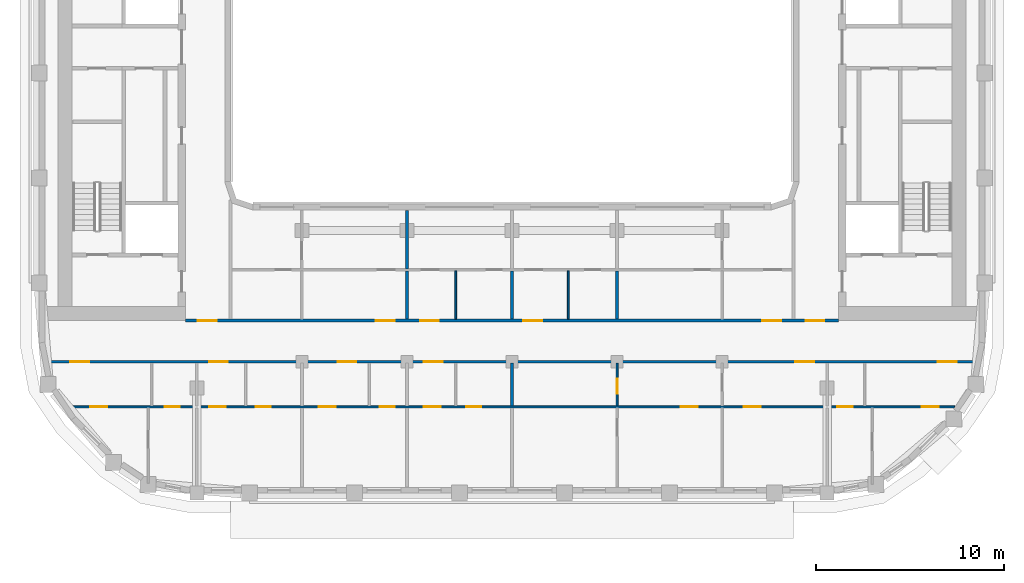
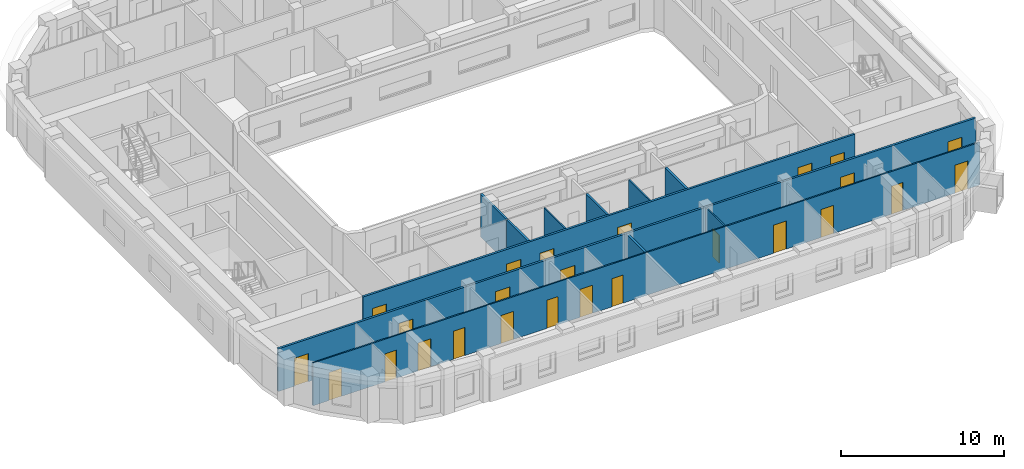
# One storey, part 3 of 21: 25 doors, 11 walls, 25 openings.
"""IFC4 building model written with IfcOpenShell, lengths in metres."""

import ifcopenshell
import ifcopenshell.guid

model = None  # the IFC model being written
_history = None  # IfcOwnerHistory: only IFC2X3 demands one
_inside = {}  # id of a spatial element -> (the spatial element, [elements in it])
_under = {}  # id of a project, library or spatial element -> (it, [spatial elements below it])
_declared = {}  # id of a project -> (the project, [libraries it declares])
_typed = {}  # id of a type object -> (the type object, [elements of that type])
_made_of = {}  # id of a material, layer set ... -> (it, [elements and type objects made of it])


def new_model(schema):
    """Start an empty IFC model of exactly this schema.

    Asked for "IFC4X3", IfcOpenShell would pick the latest addendum, in which some entities
    have other attributes; the version numbers below select the first issue.
    IFC2X3 requires an IfcOwnerHistory on every rooted entity: one is made here for all.
    """
    global model, _history
    if schema == "IFC4X3":
        model = ifcopenshell.file(schema_version=(4, 3, 0, 0))
    else:
        model = ifcopenshell.file(schema=schema)
    _inside.clear()
    _under.clear()
    _declared.clear()
    _typed.clear()
    _made_of.clear()
    _history = None
    if model.schema == "IFC2X3":
        org = make("IfcOrganization", Name="unknown")
        user = make(
            "IfcPersonAndOrganization",
            ThePerson=make("IfcPerson", FamilyName="unknown"),
            TheOrganization=org,
        )
        app = make(
            "IfcApplication",
            ApplicationDeveloper=org,
            Version="unknown",
            ApplicationFullName="unknown",
            ApplicationIdentifier="unknown",
        )
        _history = make(
            "IfcOwnerHistory",
            OwningUser=user,
            OwningApplication=app,
            ChangeAction="ADDED",
            CreationDate=0,
        )
    return model


def make(cls, **values):
    """One entity of the class cls with the attributes given. An attribute that is None is left unset."""
    return model.create_entity(
        cls, **{name: value for name, value in values.items() if value is not None}
    )


def rooted(cls, **values):
    """An entity with a GlobalId (a new one), such as an element, a storey or a relation."""
    return make(cls, GlobalId=ifcopenshell.guid.new(), OwnerHistory=_history, **values)


def si_unit(unit_type, name, prefix=None):
    """IfcSIUnit, for example si_unit("LENGTHUNIT", "METRE", prefix="MILLI")."""
    return make("IfcSIUnit", UnitType=unit_type, Prefix=prefix, Name=name)


def assignment(units):
    """IfcUnitAssignment: the units of a project."""
    return None if units is None else make("IfcUnitAssignment", Units=units)


def point(xyz):
    """IfcCartesianPoint."""
    return None if xyz is None else make("IfcCartesianPoint", Coordinates=xyz)


def direction(xyz):
    """IfcDirection."""
    return None if xyz is None else make("IfcDirection", DirectionRatios=xyz)


def frame(location, z_axis=None, x_axis=None):
    """IfcAxis2Placement3D, a coordinate frame: its origin and axes. An axis left out is left unset."""
    return make(
        "IfcAxis2Placement3D",
        Location=point(location),
        Axis=direction(z_axis),
        RefDirection=direction(x_axis),
    )


def frame_2d(location, x_axis=None):
    """IfcAxis2Placement2D, a coordinate frame in the plane: its origin and x axis."""
    return make(
        "IfcAxis2Placement2D", Location=point(location), RefDirection=direction(x_axis)
    )


def origin():
    """The frame at (0, 0, 0) with its axes left unset."""
    return frame((0.0, 0.0, 0.0))


def place(relative_to, where):
    """IfcLocalPlacement: puts the frame where relative to a parent placement (None: the world)."""
    return make(
        "IfcLocalPlacement", PlacementRelTo=relative_to, RelativePlacement=where
    )


def context(
    kind, dimensions, precision=None, world=None, true_north=None, identifier=None
):
    """IfcGeometricRepresentationContext, for example the 3D "Model" context."""
    return make(
        "IfcGeometricRepresentationContext",
        ContextIdentifier=identifier,
        ContextType=kind,
        CoordinateSpaceDimension=dimensions,
        Precision=precision,
        WorldCoordinateSystem=world,
        TrueNorth=true_north,
    )


def subcontext(parent, identifier, kind, view, scale=None):
    """IfcGeometricRepresentationSubContext, for example "Body" below "Model"."""
    return make(
        "IfcGeometricRepresentationSubContext",
        ContextIdentifier=identifier,
        ContextType=kind,
        ParentContext=parent,
        TargetScale=scale,
        TargetView=view,
    )


def project(units=None, contexts=None):
    """IfcProject with its units and contexts."""
    return rooted(
        "IfcProject",
        Name="project",
        RepresentationContexts=contexts,
        UnitsInContext=assignment(units),
    )


def spatial(cls, under=None, at=None, **own):
    """A site, building, storey or space (cls), placed at a placement, below another one or the project."""
    s = rooted(cls, ObjectPlacement=at, **own)
    if under is not None:
        _under.setdefault(under.id(), (under, []))[1].append(s)
    return s


def profile(cls, at=None, kind="AREA", **sizes):
    """A parametric profile (cls). Its sizes go by their IFC names, for example OverallWidth=200.0."""
    return make(cls, ProfileType=kind, Position=at, **sizes)


def rectangle(**sizes):
    """IfcRectangleProfileDef."""
    return profile("IfcRectangleProfileDef", **sizes)


def extrude(swept, where, along, depth):
    """IfcExtrudedAreaSolid: the profile swept, set in the frame where, extruded along a direction by depth."""
    return make(
        "IfcExtrudedAreaSolid",
        SweptArea=swept,
        Position=where,
        ExtrudedDirection=direction(along),
        Depth=depth,
    )


def shape(context_of_items, identifier, shape_type, items):
    """IfcShapeRepresentation: the items that make up one representation, for example the "Body"."""
    return make(
        "IfcShapeRepresentation",
        ContextOfItems=context_of_items,
        RepresentationIdentifier=identifier,
        RepresentationType=shape_type,
        Items=items,
    )


def material(Name=None, Category=None):
    """IfcMaterial."""
    return make("IfcMaterial", Name=Name, Category=Category)


def layer(
    of_material, thickness, ventilated=None, Name=None, Category=None, Priority=None
):
    """IfcMaterialLayer: one layer of a wall or slab, of a material (None: an air gap)."""
    return make(
        "IfcMaterialLayer",
        Material=of_material,
        LayerThickness=thickness,
        IsVentilated=ventilated,
        Name=Name,
        Category=Category,
        Priority=Priority,
    )


def layer_set(layers, Name=None):
    """IfcMaterialLayerSet."""
    return make("IfcMaterialLayerSet", MaterialLayers=layers, LayerSetName=Name)


def made_of(thing, what):
    """Note that an element or type object is made of a material, layer set ...; save() writes the relation."""
    if what is not None:
        _made_of.setdefault(what.id(), (what, []))[1].append(thing)
    return thing


def type_object(cls, material=None, **own):
    """A type object (cls), such as IfcWallType, which elements share."""
    return made_of(rooted(cls, **own), material)


def element(
    cls,
    number,
    at=None,
    inside=None,
    cuts=None,
    type_object=None,
    material=None,
    context=None,
    identifier="Body",
    shape_type=None,
    held_by="IfcProductDefinitionShape",
    body=None,
    shapes=None,
    **own,
):
    """One element of the class cls, such as IfcWall. Its Tag is "e" and its number.

    at: its placement. inside: the storey or other place that contains it. cuts: it is an
    opening in that element (IfcRelVoidsElement). A single representation is given by context,
    identifier, shape_type and body (its items); several are given by shapes. held_by: the class
    of the entity that holds the representations. save() writes the other relations.
    """
    e = rooted(cls, Tag="e%d" % number, ObjectPlacement=at, **own)
    if body is not None:
        shapes = [shape(context, identifier, shape_type, body)]
    if shapes is not None:
        e.Representation = make(held_by, Representations=shapes)
    if inside is not None:
        _inside.setdefault(inside.id(), (inside, []))[1].append(e)
    if cuts is not None:
        rooted(
            "IfcRelVoidsElement", RelatingBuildingElement=cuts, RelatedOpeningElement=e
        )
    if type_object is not None:
        _typed.setdefault(type_object.id(), (type_object, []))[1].append(e)
    return made_of(e, material)


def fill(opening, filler):
    """IfcRelFillsElement: the door or window that sits in an opening."""
    return rooted(
        "IfcRelFillsElement",
        RelatingOpeningElement=opening,
        RelatedBuildingElement=filler,
    )


def aggregate(whole, parts):
    """IfcRelAggregates: a whole, such as a stair, and the parts it consists of."""
    return rooted("IfcRelAggregates", RelatingObject=whole, RelatedObjects=parts)


def save(model, path):
    """Write the relations noted so far, then the file.

    IfcRelAggregates (storeys below a building ...), IfcRelContainedInSpatialStructure (elements
    in a storey), IfcRelDefinesByType, IfcRelAssociatesMaterial and IfcRelDeclares: one each for
    every whole, place, type object, material and project.
    """
    for whole, parts in _under.values():
        aggregate(whole, parts)
    for where, things in _inside.values():
        rooted(
            "IfcRelContainedInSpatialStructure",
            RelatedElements=things,
            RelatingStructure=where,
        )
    for kind, things in _typed.values():
        rooted("IfcRelDefinesByType", RelatedObjects=things, RelatingType=kind)
    for what, things in _made_of.values():
        rooted("IfcRelAssociatesMaterial", RelatedObjects=things, RelatingMaterial=what)
    for by, libraries in _declared.values():
        rooted("IfcRelDeclares", RelatingContext=by, RelatedDefinitions=libraries)
    model.write(path)


model = new_model("IFC4")

# Units and contexts
model_context = context("Model", 3, precision=1e-05, world=origin(), true_north=direction((0.0, 1.0)))
body_context = subcontext(model_context, "Body", "Model", "MODEL_VIEW")
ifc_project = project(units=[si_unit("LENGTHUNIT", "METRE"), si_unit("AREAUNIT", "SQUARE_METRE"), si_unit("VOLUMEUNIT", "CUBIC_METRE"), si_unit("PLANEANGLEUNIT", "RADIAN"), si_unit("MASSUNIT", "GRAM", prefix="KILO")], contexts=[model_context])

# Site, building, storey
site_placement = place(None, origin())
site = spatial("IfcSite", under=ifc_project, at=site_placement, CompositionType="ELEMENT")
building_placement = place(site_placement, origin())
building = spatial("IfcBuilding", under=site, at=building_placement, Name="Kiln Ring Residences", CompositionType="ELEMENT")
storey_placement = place(building_placement, frame((0.0, 0.0, 223.89990234375)))
storey = spatial("IfcBuildingStorey", under=building, at=storey_placement, Name="L58", CompositionType="ELEMENT", Elevation=223.89990234375)

# Wall, openings, doors
ifc_material_1 = material(Name="Gypsum board on steel studs", Category="steel")
ifc_layer_1 = layer(ifc_material_1, 0.10009765625)
ifc_layer_set_1 = layer_set([ifc_layer_1], Name="PARTITION-100")
wall_type_1 = type_object("IfcWallType", Name="PARTITION-100", PredefinedType="PARTITIONING", material=ifc_layer_set_1)
wall_1_placement = place(storey_placement, frame((-23.593994140625, -17.800048828125, 0.0), z_axis=(0.0, 0.0, 1.0), x_axis=(1.0, 0.0, 0.0)))
wall_1 = element("IfcWall", 1, at=wall_1_placement, inside=storey, type_object=wall_type_1, Name="Partition 000", PredefinedType="PARTITIONING", context=body_context, shape_type="SweptSolid", body=[
    extrude(rectangle(XDim=47.18798828125, YDim=0.10009765625, at=frame_2d((23.593994140625, 0.0))), origin(), (0.0, 0.0, 1.0), 3.2001953125),
])
opening_1_placement = place(wall_1_placement, frame((5.093994140625, 0.0, 0.0)))
opening_1 = element("IfcOpeningElement", 2, at=opening_1_placement, cuts=wall_1, Name="Opening L58-D046", PredefinedType="OPENING", context=body_context, shape_type="SweptSolid", body=[
    extrude(rectangle(XDim=0.800048828125, YDim=2.10009765625, at=frame_2d((0.39990234375, 1.050048828125))), frame((0.0, 0.06005859375, 0.0), z_axis=(0.0, -1.0, 0.0), x_axis=(1.0, 0.0, 0.0)), (0.0, 0.0, 1.0), 0.1201171875),
])
opening_2_placement = place(wall_1_placement, frame((1.1259765625, 0.0, 0.0)))
opening_2 = element("IfcOpeningElement", 3, at=opening_2_placement, cuts=wall_1, Name="Opening L58-D047", PredefinedType="OPENING", context=body_context, shape_type="SweptSolid", body=[
    extrude(rectangle(XDim=0.89990234375, YDim=2.10009765625, at=frame_2d((0.449951171875, 1.050048828125))), frame((0.0, 0.06005859375, 0.0), z_axis=(0.0, -1.0, 0.0), x_axis=(1.0, 0.0, 0.0)), (0.0, 0.0, 1.0), 0.1201171875),
])
opening_3_placement = place(wall_1_placement, frame((9.944091796875, 0.0, 0.0)))
opening_3 = element("IfcOpeningElement", 4, at=opening_3_placement, cuts=wall_1, Name="Opening L58-D050", PredefinedType="OPENING", context=body_context, shape_type="SweptSolid", body=[
    extrude(rectangle(XDim=0.800048828125, YDim=2.10009765625, at=frame_2d((0.39990234375, 1.050048828125))), frame((0.0, 0.06005859375, 0.0), z_axis=(0.0, -1.0, 0.0), x_axis=(1.0, 0.0, 0.0)), (0.0, 0.0, 1.0), 0.1201171875),
])
opening_4_placement = place(wall_1_placement, frame((7.444091796875, 0.0, 0.0)))
opening_4 = element("IfcOpeningElement", 5, at=opening_4_placement, cuts=wall_1, Name="Opening L58-D051", PredefinedType="OPENING", context=body_context, shape_type="SweptSolid", body=[
    extrude(rectangle(XDim=0.89990234375, YDim=2.10009765625, at=frame_2d((0.449951171875, 1.050048828125))), frame((0.0, 0.06005859375, 0.0), z_axis=(0.0, -1.0, 0.0), x_axis=(1.0, 0.0, 0.0)), (0.0, 0.0, 1.0), 0.1201171875),
])
opening_5_placement = place(wall_1_placement, frame((16.5439453125, 0.0, 0.0)))
opening_5 = element("IfcOpeningElement", 6, at=opening_5_placement, cuts=wall_1, Name="Opening L58-D053", PredefinedType="OPENING", context=body_context, shape_type="SweptSolid", body=[
    extrude(rectangle(XDim=0.800048828125, YDim=2.10009765625, at=frame_2d((0.39990234375, 1.050048828125))), frame((0.0, 0.06005859375, 0.0), z_axis=(0.0, -1.0, 0.0), x_axis=(1.0, 0.0, 0.0)), (0.0, 0.0, 1.0), 0.1201171875),
])
opening_6_placement = place(wall_1_placement, frame((13.2939453125, 0.0, 0.0)))
opening_6 = element("IfcOpeningElement", 7, at=opening_6_placement, cuts=wall_1, Name="Opening L58-D054", PredefinedType="OPENING", context=body_context, shape_type="SweptSolid", body=[
    extrude(rectangle(XDim=0.89990234375, YDim=2.10009765625, at=frame_2d((0.449951171875, 1.050048828125))), frame((0.0, 0.06005859375, 0.0), z_axis=(0.0, -1.0, 0.0), x_axis=(1.0, 0.0, 0.0)), (0.0, 0.0, 1.0), 0.1201171875),
])
opening_7_placement = place(wall_1_placement, frame((21.14404296875, 0.0, 0.0)))
opening_7 = element("IfcOpeningElement", 8, at=opening_7_placement, cuts=wall_1, Name="Opening L58-D056", PredefinedType="OPENING", context=body_context, shape_type="SweptSolid", body=[
    extrude(rectangle(XDim=0.800048828125, YDim=2.10009765625, at=frame_2d((0.39990234375, 1.050048828125))), frame((0.0, 0.06005859375, 0.0), z_axis=(0.0, -1.0, 0.0), x_axis=(1.0, 0.0, 0.0)), (0.0, 0.0, 1.0), 0.1201171875),
])
opening_8_placement = place(wall_1_placement, frame((18.89404296875, 0.0, 0.0)))
opening_8 = element("IfcOpeningElement", 9, at=opening_8_placement, cuts=wall_1, Name="Opening L58-D057", PredefinedType="OPENING", context=body_context, shape_type="SweptSolid", body=[
    extrude(rectangle(XDim=0.89990234375, YDim=2.10009765625, at=frame_2d((0.449951171875, 1.050048828125))), frame((0.0, 0.06005859375, 0.0), z_axis=(0.0, -1.0, 0.0), x_axis=(1.0, 0.0, 0.0)), (0.0, 0.0, 1.0), 0.1201171875),
])
opening_9_placement = place(wall_1_placement, frame((35.944091796875, 0.0, 0.0)))
opening_9 = element("IfcOpeningElement", 10, at=opening_9_placement, cuts=wall_1, Name="Opening L58-D061", PredefinedType="OPENING", context=body_context, shape_type="SweptSolid", body=[
    extrude(rectangle(XDim=0.89990234375, YDim=2.10009765625, at=frame_2d((0.449951171875, 1.050048828125))), frame((0.0, 0.06005859375, 0.0), z_axis=(0.0, -1.0, 0.0), x_axis=(1.0, 0.0, 0.0)), (0.0, 0.0, 1.0), 0.1201171875),
])
opening_10_placement = place(wall_1_placement, frame((32.593994140625, 0.0, 0.0)))
opening_10 = element("IfcOpeningElement", 11, at=opening_10_placement, cuts=wall_1, Name="Opening L58-D062", PredefinedType="OPENING", context=body_context, shape_type="SweptSolid", body=[
    extrude(rectangle(XDim=0.89990234375, YDim=2.10009765625, at=frame_2d((0.449951171875, 1.050048828125))), frame((0.0, 0.06005859375, 0.0), z_axis=(0.0, -1.0, 0.0), x_axis=(1.0, 0.0, 0.0)), (0.0, 0.0, 1.0), 0.1201171875),
])
opening_11_placement = place(wall_1_placement, frame((40.944091796875, 0.0, 0.0)))
opening_11 = element("IfcOpeningElement", 12, at=opening_11_placement, cuts=wall_1, Name="Opening L58-D065", PredefinedType="OPENING", context=body_context, shape_type="SweptSolid", body=[
    extrude(rectangle(XDim=0.800048828125, YDim=2.10009765625, at=frame_2d((0.39990234375, 1.050048828125))), frame((0.0, 0.06005859375, 0.0), z_axis=(0.0, -1.0, 0.0), x_axis=(1.0, 0.0, 0.0)), (0.0, 0.0, 1.0), 0.1201171875),
])
opening_12_placement = place(wall_1_placement, frame((45.444091796875, 0.0, 0.0)))
opening_12 = element("IfcOpeningElement", 13, at=opening_12_placement, cuts=wall_1, Name="Opening L58-D066", PredefinedType="OPENING", context=body_context, shape_type="SweptSolid", body=[
    extrude(rectangle(XDim=0.89990234375, YDim=2.10009765625, at=frame_2d((0.449951171875, 1.050048828125))), frame((0.0, 0.06005859375, 0.0), z_axis=(0.0, -1.0, 0.0), x_axis=(1.0, 0.0, 0.0)), (0.0, 0.0, 1.0), 0.1201171875),
])
ifc_material_2 = material(Name="Timber door leaf", Category="wood")
door_type_1 = type_object("IfcDoorType", Name="FLAT-DOOR-800-PL", OperationType="SINGLE_SWING_LEFT", PredefinedType="DOOR", material=ifc_material_2)
door_1_placement = place(opening_1_placement, origin())
door_1 = element("IfcDoor", 14, at=door_1_placement, inside=storey, type_object=door_type_1, Name="Door L58-D046", OperationType="SINGLE_SWING_RIGHT", OverallHeight=2.10009765625, OverallWidth=0.800048828125, PredefinedType="DOOR", context=body_context, shape_type="SweptSolid", body=[
    extrude(rectangle(XDim=0.800048828125, YDim=2.10009765625, at=frame_2d((0.39990234375, 1.050048828125))), frame((0.0, 0.02490234375, 0.0), z_axis=(0.0, -1.0, 0.0), x_axis=(1.0, 0.0, 0.0)), (0.0, 0.0, 1.0), 0.050048828125),
])
fill(opening_1, door_1)
door_2_placement = place(opening_3_placement, origin())
door_2 = element("IfcDoor", 15, at=door_2_placement, inside=storey, type_object=door_type_1, Name="Door L58-D050", OperationType="SINGLE_SWING_RIGHT", OverallHeight=2.10009765625, OverallWidth=0.800048828125, PredefinedType="DOOR", context=body_context, shape_type="SweptSolid", body=[
    extrude(rectangle(XDim=0.800048828125, YDim=2.10009765625, at=frame_2d((0.39990234375, 1.050048828125))), frame((0.0, 0.02490234375, 0.0), z_axis=(0.0, -1.0, 0.0), x_axis=(1.0, 0.0, 0.0)), (0.0, 0.0, 1.0), 0.050048828125),
])
fill(opening_3, door_2)
door_3_placement = place(opening_5_placement, origin())
door_3 = element("IfcDoor", 16, at=door_3_placement, inside=storey, type_object=door_type_1, Name="Door L58-D053", OperationType="SINGLE_SWING_LEFT", OverallHeight=2.10009765625, OverallWidth=0.800048828125, PredefinedType="DOOR", context=body_context, shape_type="SweptSolid", body=[
    extrude(rectangle(XDim=0.800048828125, YDim=2.10009765625, at=frame_2d((0.39990234375, 1.050048828125))), frame((0.0, 0.02490234375, 0.0), z_axis=(0.0, -1.0, 0.0), x_axis=(1.0, 0.0, 0.0)), (0.0, 0.0, 1.0), 0.050048828125),
])
fill(opening_5, door_3)
door_4_placement = place(opening_7_placement, origin())
door_4 = element("IfcDoor", 17, at=door_4_placement, inside=storey, type_object=door_type_1, Name="Door L58-D056", OperationType="SINGLE_SWING_RIGHT", OverallHeight=2.10009765625, OverallWidth=0.800048828125, PredefinedType="DOOR", context=body_context, shape_type="SweptSolid", body=[
    extrude(rectangle(XDim=0.800048828125, YDim=2.10009765625, at=frame_2d((0.39990234375, 1.050048828125))), frame((0.0, 0.02490234375, 0.0), z_axis=(0.0, -1.0, 0.0), x_axis=(1.0, 0.0, 0.0)), (0.0, 0.0, 1.0), 0.050048828125),
])
fill(opening_7, door_4)
door_5_placement = place(opening_11_placement, origin())
door_5 = element("IfcDoor", 18, at=door_5_placement, inside=storey, type_object=door_type_1, Name="Door L58-D065", OperationType="SINGLE_SWING_LEFT", OverallHeight=2.10009765625, OverallWidth=0.800048828125, PredefinedType="DOOR", context=body_context, shape_type="SweptSolid", body=[
    extrude(rectangle(XDim=0.800048828125, YDim=2.10009765625, at=frame_2d((0.39990234375, 1.050048828125))), frame((0.0, 0.02490234375, 0.0), z_axis=(0.0, -1.0, 0.0), x_axis=(1.0, 0.0, 0.0)), (0.0, 0.0, 1.0), 0.050048828125),
])
fill(opening_11, door_5)
ifc_material_3 = material(Name="Timber door leaf", Category="wood")
door_type_2 = type_object("IfcDoorType", Name="FLAT-DOOR-900-PL", OperationType="SINGLE_SWING_LEFT", PredefinedType="DOOR", material=ifc_material_3)
door_6_placement = place(opening_2_placement, origin())
door_6 = element("IfcDoor", 19, at=door_6_placement, inside=storey, type_object=door_type_2, Name="Door L58-D047", OperationType="SINGLE_SWING_LEFT", OverallHeight=2.10009765625, OverallWidth=0.89990234375, PredefinedType="DOOR", context=body_context, shape_type="SweptSolid", body=[
    extrude(rectangle(XDim=0.89990234375, YDim=2.10009765625, at=frame_2d((0.449951171875, 1.050048828125))), frame((0.0, 0.02490234375, 0.0), z_axis=(0.0, -1.0, 0.0), x_axis=(1.0, 0.0, 0.0)), (0.0, 0.0, 1.0), 0.050048828125),
])
fill(opening_2, door_6)
door_7_placement = place(opening_4_placement, origin())
door_7 = element("IfcDoor", 20, at=door_7_placement, inside=storey, type_object=door_type_2, Name="Door L58-D051", OperationType="SINGLE_SWING_LEFT", OverallHeight=2.10009765625, OverallWidth=0.89990234375, PredefinedType="DOOR", context=body_context, shape_type="SweptSolid", body=[
    extrude(rectangle(XDim=0.89990234375, YDim=2.10009765625, at=frame_2d((0.449951171875, 1.050048828125))), frame((0.0, 0.02490234375, 0.0), z_axis=(0.0, -1.0, 0.0), x_axis=(1.0, 0.0, 0.0)), (0.0, 0.0, 1.0), 0.050048828125),
])
fill(opening_4, door_7)
door_8_placement = place(opening_6_placement, origin())
door_8 = element("IfcDoor", 21, at=door_8_placement, inside=storey, type_object=door_type_2, Name="Door L58-D054", OperationType="SINGLE_SWING_LEFT", OverallHeight=2.10009765625, OverallWidth=0.89990234375, PredefinedType="DOOR", context=body_context, shape_type="SweptSolid", body=[
    extrude(rectangle(XDim=0.89990234375, YDim=2.10009765625, at=frame_2d((0.449951171875, 1.050048828125))), frame((0.0, 0.02490234375, 0.0), z_axis=(0.0, -1.0, 0.0), x_axis=(1.0, 0.0, 0.0)), (0.0, 0.0, 1.0), 0.050048828125),
])
fill(opening_6, door_8)
door_9_placement = place(opening_8_placement, origin())
door_9 = element("IfcDoor", 22, at=door_9_placement, inside=storey, type_object=door_type_2, Name="Door L58-D057", OperationType="SINGLE_SWING_LEFT", OverallHeight=2.10009765625, OverallWidth=0.89990234375, PredefinedType="DOOR", context=body_context, shape_type="SweptSolid", body=[
    extrude(rectangle(XDim=0.89990234375, YDim=2.10009765625, at=frame_2d((0.449951171875, 1.050048828125))), frame((0.0, 0.02490234375, 0.0), z_axis=(0.0, -1.0, 0.0), x_axis=(1.0, 0.0, 0.0)), (0.0, 0.0, 1.0), 0.050048828125),
])
fill(opening_8, door_9)
door_10_placement = place(opening_9_placement, origin())
door_10 = element("IfcDoor", 23, at=door_10_placement, inside=storey, type_object=door_type_2, Name="Door L58-D061", OperationType="SINGLE_SWING_LEFT", OverallHeight=2.10009765625, OverallWidth=0.89990234375, PredefinedType="DOOR", context=body_context, shape_type="SweptSolid", body=[
    extrude(rectangle(XDim=0.89990234375, YDim=2.10009765625, at=frame_2d((0.449951171875, 1.050048828125))), frame((0.0, 0.02490234375, 0.0), z_axis=(0.0, -1.0, 0.0), x_axis=(1.0, 0.0, 0.0)), (0.0, 0.0, 1.0), 0.050048828125),
])
fill(opening_9, door_10)
door_11_placement = place(opening_10_placement, origin())
door_11 = element("IfcDoor", 24, at=door_11_placement, inside=storey, type_object=door_type_2, Name="Door L58-D062", OperationType="SINGLE_SWING_RIGHT", OverallHeight=2.10009765625, OverallWidth=0.89990234375, PredefinedType="DOOR", context=body_context, shape_type="SweptSolid", body=[
    extrude(rectangle(XDim=0.89990234375, YDim=2.10009765625, at=frame_2d((0.449951171875, 1.050048828125))), frame((0.0, 0.02490234375, 0.0), z_axis=(0.0, -1.0, 0.0), x_axis=(1.0, 0.0, 0.0)), (0.0, 0.0, 1.0), 0.050048828125),
])
fill(opening_10, door_11)
door_12_placement = place(opening_12_placement, origin())
door_12 = element("IfcDoor", 25, at=door_12_placement, inside=storey, type_object=door_type_2, Name="Door L58-D066", OperationType="SINGLE_SWING_RIGHT", OverallHeight=2.10009765625, OverallWidth=0.89990234375, PredefinedType="DOOR", context=body_context, shape_type="SweptSolid", body=[
    extrude(rectangle(XDim=0.89990234375, YDim=2.10009765625, at=frame_2d((0.449951171875, 1.050048828125))), frame((0.0, 0.02490234375, 0.0), z_axis=(0.0, -1.0, 0.0), x_axis=(1.0, 0.0, 0.0)), (0.0, 0.0, 1.0), 0.050048828125),
])
fill(opening_12, door_12)

# Walls
for number, where, z_axis, x_axis, name in (
    (26, (-3.0, -13.125, 0.0), (0.0, 0.0, 1.0), (0.0, 1.0, 0.0), "Partition 033"),
    (27, (3.0, -13.125, 0.0), (0.0, 0.0, 1.0), (0.0, 1.0, 0.0), "Partition 042"),
):
    element("IfcWall", number, at=place(storey_placement, frame(where, z_axis=z_axis, x_axis=x_axis)), inside=storey, type_object=wall_type_1, Name=name, PredefinedType="PARTITIONING", context=body_context, shape_type="SweptSolid", body=[
        extrude(rectangle(XDim=2.574951171875, YDim=0.10009765625, at=frame_2d((1.28759765625, 0.0))), origin(), (0.0, 0.0, 1.0), 3.2001953125),
    ])

# Wall, opening, door
wall_2_placement = place(storey_placement, frame((5.60009765625, -17.75, 0.0), z_axis=(0.0, 0.0, 1.0), x_axis=(0.0, 1.0, 0.0)))
wall_2 = element("IfcWall", 28, at=wall_2_placement, inside=storey, type_object=wall_type_1, Name="Partition 045", PredefinedType="PARTITIONING", context=body_context, shape_type="SweptSolid", body=[
    extrude(rectangle(XDim=2.27490234375, YDim=0.10009765625, at=frame_2d((1.137451171875, 0.0))), origin(), (0.0, 0.0, 1.0), 3.2001953125),
])
opening_13_placement = place(wall_2_placement, frame((0.64892578125, 0.0, 0.0)))
opening_13 = element("IfcOpeningElement", 29, at=opening_13_placement, cuts=wall_2, Name="Opening L58-D060", PredefinedType="OPENING", context=body_context, shape_type="SweptSolid", body=[
    extrude(rectangle(XDim=0.800048828125, YDim=2.10009765625, at=frame_2d((0.39990234375, 1.050048828125))), frame((0.0, 0.06005859375, 0.0), z_axis=(0.0, -1.0, 0.0), x_axis=(1.0, 0.0, 0.0)), (0.0, 0.0, 1.0), 0.1201171875),
])
door_13_placement = place(opening_13_placement, origin())
door_13 = element("IfcDoor", 30, at=door_13_placement, inside=storey, type_object=door_type_1, Name="Door L58-D060", OperationType="SINGLE_SWING_RIGHT", OverallHeight=2.10009765625, OverallWidth=0.800048828125, PredefinedType="DOOR", context=body_context, shape_type="SweptSolid", body=[
    extrude(rectangle(XDim=0.800048828125, YDim=2.10009765625, at=frame_2d((0.39990234375, 1.050048828125))), frame((0.0, 0.02490234375, 0.0), z_axis=(0.0, -1.0, 0.0), x_axis=(1.0, 0.0, 0.0)), (0.0, 0.0, 1.0), 0.050048828125),
])
fill(opening_13, door_13)

# Wall, openings, doors
ifc_material_4 = material(Name="Brick masonry partition", Category="masonry")
ifc_layer_2 = layer(ifc_material_4, 0.14990234375)
ifc_layer_set_2 = layer_set([ifc_layer_2], Name="PARTITION-150-ei60")
wall_type_2 = type_object("IfcWallType", Name="PARTITION-150-ei60", PredefinedType="PARTITIONING", material=ifc_layer_set_2)
wall_3_placement = place(storey_placement, frame((-24.683837890625, -15.39990234375, 0.0), z_axis=(0.0, 0.0, 1.0), x_axis=(1.0, 0.0, 0.0)))
wall_3 = element("IfcWall", 31, at=wall_3_placement, inside=storey, type_object=wall_type_2, Name="Partition 001", PredefinedType="PARTITIONING", context=body_context, shape_type="SweptSolid", body=[
    extrude(rectangle(XDim=49.36767578125, YDim=0.14990234375, at=frame_2d((24.683837890625, 0.0))), origin(), (0.0, 0.0, 1.0), 3.2001953125),
])
opening_14_placement = place(wall_3_placement, frame((1.142822265625, 0.0, 0.0)))
opening_14 = element("IfcOpeningElement", 32, at=opening_14_placement, cuts=wall_3, Name="Opening L58-D045", PredefinedType="OPENING", context=body_context, shape_type="SweptSolid", body=[
    extrude(rectangle(XDim=1.0, YDim=2.10009765625, at=frame_2d((0.5, 1.050048828125))), frame((0.0, 0.0849609375, 0.0), z_axis=(0.0, -1.0, 0.0), x_axis=(1.0, 0.0, 0.0)), (0.0, 0.0, 1.0), 0.169921875),
])
opening_15_placement = place(wall_3_placement, frame((8.53369140625, 0.0, 0.0)))
opening_15 = element("IfcOpeningElement", 33, at=opening_15_placement, cuts=wall_3, Name="Opening L58-D049", PredefinedType="OPENING", context=body_context, shape_type="SweptSolid", body=[
    extrude(rectangle(XDim=1.0, YDim=2.10009765625, at=frame_2d((0.5, 1.050048828125))), frame((0.0, 0.0849609375, 0.0), z_axis=(0.0, -1.0, 0.0), x_axis=(1.0, 0.0, 0.0)), (0.0, 0.0, 1.0), 0.169921875),
])
opening_16_placement = place(wall_3_placement, frame((15.3837890625, 0.0, 0.0)))
opening_16 = element("IfcOpeningElement", 34, at=opening_16_placement, cuts=wall_3, Name="Opening L58-D052", PredefinedType="OPENING", context=body_context, shape_type="SweptSolid", body=[
    extrude(rectangle(XDim=1.0, YDim=2.10009765625, at=frame_2d((0.5, 1.050048828125))), frame((0.0, 0.0849609375, 0.0), z_axis=(0.0, -1.0, 0.0), x_axis=(1.0, 0.0, 0.0)), (0.0, 0.0, 1.0), 0.169921875),
])
opening_17_placement = place(wall_3_placement, frame((19.98388671875, 0.0, 0.0)))
opening_17 = element("IfcOpeningElement", 35, at=opening_17_placement, cuts=wall_3, Name="Opening L58-D055", PredefinedType="OPENING", context=body_context, shape_type="SweptSolid", body=[
    extrude(rectangle(XDim=1.0, YDim=2.10009765625, at=frame_2d((0.5, 1.050048828125))), frame((0.0, 0.0849609375, 0.0), z_axis=(0.0, -1.0, 0.0), x_axis=(1.0, 0.0, 0.0)), (0.0, 0.0, 1.0), 0.169921875),
])
opening_18_placement = place(wall_3_placement, frame((39.78369140625, 0.0, 0.0)))
opening_18 = element("IfcOpeningElement", 36, at=opening_18_placement, cuts=wall_3, Name="Opening L58-D058", PredefinedType="OPENING", context=body_context, shape_type="SweptSolid", body=[
    extrude(rectangle(XDim=1.0, YDim=2.10009765625, at=frame_2d((0.5, 1.050048828125))), frame((0.0, 0.0849609375, 0.0), z_axis=(0.0, -1.0, 0.0), x_axis=(1.0, 0.0, 0.0)), (0.0, 0.0, 1.0), 0.169921875),
])
opening_19_placement = place(wall_3_placement, frame((47.3837890625, 0.0, 0.0)))
opening_19 = element("IfcOpeningElement", 37, at=opening_19_placement, cuts=wall_3, Name="Opening L58-D064", PredefinedType="OPENING", context=body_context, shape_type="SweptSolid", body=[
    extrude(rectangle(XDim=1.0, YDim=2.10009765625, at=frame_2d((0.5, 1.050048828125))), frame((0.0, 0.0849609375, 0.0), z_axis=(0.0, -1.0, 0.0), x_axis=(1.0, 0.0, 0.0)), (0.0, 0.0, 1.0), 0.169921875),
])
ifc_material_5 = material(Name="Steel faced fire door leaf", Category="steel")
door_type_3 = type_object("IfcDoorType", Name="FLAT-DOOR-1000-FR", OperationType="SINGLE_SWING_LEFT", PredefinedType="DOOR", material=ifc_material_5)
door_14_placement = place(opening_14_placement, origin())
door_14 = element("IfcDoor", 38, at=door_14_placement, inside=storey, type_object=door_type_3, Name="Door L58-D045", OperationType="SINGLE_SWING_LEFT", OverallHeight=2.10009765625, OverallWidth=1.0, PredefinedType="DOOR", context=body_context, shape_type="SweptSolid", body=[
    extrude(rectangle(XDim=1.0, YDim=2.10009765625, at=frame_2d((0.5, 1.050048828125))), frame((0.0, 0.02490234375, 0.0), z_axis=(0.0, -1.0, 0.0), x_axis=(1.0, 0.0, 0.0)), (0.0, 0.0, 1.0), 0.050048828125),
])
fill(opening_14, door_14)
door_15_placement = place(opening_15_placement, origin())
door_15 = element("IfcDoor", 39, at=door_15_placement, inside=storey, type_object=door_type_3, Name="Door L58-D049", OperationType="SINGLE_SWING_LEFT", OverallHeight=2.10009765625, OverallWidth=1.0, PredefinedType="DOOR", context=body_context, shape_type="SweptSolid", body=[
    extrude(rectangle(XDim=1.0, YDim=2.10009765625, at=frame_2d((0.5, 1.050048828125))), frame((0.0, 0.02490234375, 0.0), z_axis=(0.0, -1.0, 0.0), x_axis=(1.0, 0.0, 0.0)), (0.0, 0.0, 1.0), 0.050048828125),
])
fill(opening_15, door_15)
door_16_placement = place(opening_16_placement, origin())
door_16 = element("IfcDoor", 40, at=door_16_placement, inside=storey, type_object=door_type_3, Name="Door L58-D052", OperationType="SINGLE_SWING_RIGHT", OverallHeight=2.10009765625, OverallWidth=1.0, PredefinedType="DOOR", context=body_context, shape_type="SweptSolid", body=[
    extrude(rectangle(XDim=1.0, YDim=2.10009765625, at=frame_2d((0.5, 1.050048828125))), frame((0.0, 0.02490234375, 0.0), z_axis=(0.0, -1.0, 0.0), x_axis=(1.0, 0.0, 0.0)), (0.0, 0.0, 1.0), 0.050048828125),
])
fill(opening_16, door_16)
door_17_placement = place(opening_17_placement, origin())
door_17 = element("IfcDoor", 41, at=door_17_placement, inside=storey, type_object=door_type_3, Name="Door L58-D055", OperationType="SINGLE_SWING_LEFT", OverallHeight=2.10009765625, OverallWidth=1.0, PredefinedType="DOOR", context=body_context, shape_type="SweptSolid", body=[
    extrude(rectangle(XDim=1.0, YDim=2.10009765625, at=frame_2d((0.5, 1.050048828125))), frame((0.0, 0.02490234375, 0.0), z_axis=(0.0, -1.0, 0.0), x_axis=(1.0, 0.0, 0.0)), (0.0, 0.0, 1.0), 0.050048828125),
])
fill(opening_17, door_17)
door_18_placement = place(opening_18_placement, origin())
door_18 = element("IfcDoor", 42, at=door_18_placement, inside=storey, type_object=door_type_3, Name="Door L58-D058", OperationType="SINGLE_SWING_RIGHT", OverallHeight=2.10009765625, OverallWidth=1.0, PredefinedType="DOOR", context=body_context, shape_type="SweptSolid", body=[
    extrude(rectangle(XDim=1.0, YDim=2.10009765625, at=frame_2d((0.5, 1.050048828125))), frame((0.0, 0.02490234375, 0.0), z_axis=(0.0, -1.0, 0.0), x_axis=(1.0, 0.0, 0.0)), (0.0, 0.0, 1.0), 0.050048828125),
])
fill(opening_18, door_18)
door_19_placement = place(opening_19_placement, origin())
door_19 = element("IfcDoor", 43, at=door_19_placement, inside=storey, type_object=door_type_3, Name="Door L58-D064", OperationType="SINGLE_SWING_RIGHT", OverallHeight=2.10009765625, OverallWidth=1.0, PredefinedType="DOOR", context=body_context, shape_type="SweptSolid", body=[
    extrude(rectangle(XDim=1.0, YDim=2.10009765625, at=frame_2d((0.5, 1.050048828125))), frame((0.0, 0.02490234375, 0.0), z_axis=(0.0, -1.0, 0.0), x_axis=(1.0, 0.0, 0.0)), (0.0, 0.0, 1.0), 0.050048828125),
])
fill(opening_19, door_19)

wall_4_placement = place(storey_placement, frame((-17.39990234375, -13.199951171875, 0.0), z_axis=(0.0, 0.0, 1.0), x_axis=(1.0, 0.0, 0.0)))
wall_4 = element("IfcWall", 44, at=wall_4_placement, inside=storey, type_object=wall_type_2, Name="Partition 002", PredefinedType="PARTITIONING", context=body_context, shape_type="SweptSolid", body=[
    extrude(rectangle(XDim=34.7998046875, YDim=0.14990234375, at=frame_2d((17.39990234375, 0.0))), origin(), (0.0, 0.0, 1.0), 3.2001953125),
])
opening_20_placement = place(wall_4_placement, frame((0.64990234375, 0.0, 0.0)))
opening_20 = element("IfcOpeningElement", 45, at=opening_20_placement, cuts=wall_4, Name="Opening L58-D003", PredefinedType="OPENING", context=body_context, shape_type="SweptSolid", body=[
    extrude(rectangle(XDim=1.0, YDim=2.10009765625, at=frame_2d((0.5, 1.050048828125))), frame((0.0, 0.0849609375, 0.0), z_axis=(0.0, -1.0, 0.0), x_axis=(1.0, 0.0, 0.0)), (0.0, 0.0, 1.0), 0.169921875),
])
opening_21_placement = place(wall_4_placement, frame((33.050048828125, 0.0, 0.0)))
opening_21 = element("IfcOpeningElement", 46, at=opening_21_placement, cuts=wall_4, Name="Opening L58-D004", PredefinedType="OPENING", context=body_context, shape_type="SweptSolid", body=[
    extrude(rectangle(XDim=1.0, YDim=2.10009765625, at=frame_2d((0.5, 1.050048828125))), frame((0.0, 0.0849609375, 0.0), z_axis=(0.0, -1.0, 0.0), x_axis=(1.0, 0.0, 0.0)), (0.0, 0.0, 1.0), 0.169921875),
])
opening_22_placement = place(wall_4_placement, frame((10.14990234375, 0.0, 0.0)))
opening_22 = element("IfcOpeningElement", 47, at=opening_22_placement, cuts=wall_4, Name="Opening L58-D031", PredefinedType="OPENING", context=body_context, shape_type="SweptSolid", body=[
    extrude(rectangle(XDim=1.0, YDim=2.10009765625, at=frame_2d((0.5, 1.050048828125))), frame((0.0, 0.0849609375, 0.0), z_axis=(0.0, -1.0, 0.0), x_axis=(1.0, 0.0, 0.0)), (0.0, 0.0, 1.0), 0.169921875),
])
opening_23_placement = place(wall_4_placement, frame((12.5, 0.0, 0.0)))
opening_23 = element("IfcOpeningElement", 48, at=opening_23_placement, cuts=wall_4, Name="Opening L58-D035", PredefinedType="OPENING", context=body_context, shape_type="SweptSolid", body=[
    extrude(rectangle(XDim=1.0, YDim=2.10009765625, at=frame_2d((0.5, 1.050048828125))), frame((0.0, 0.0849609375, 0.0), z_axis=(0.0, -1.0, 0.0), x_axis=(1.0, 0.0, 0.0)), (0.0, 0.0, 1.0), 0.169921875),
])
opening_24_placement = place(wall_4_placement, frame((18.0, 0.0, 0.0)))
opening_24 = element("IfcOpeningElement", 49, at=opening_24_placement, cuts=wall_4, Name="Opening L58-D038", PredefinedType="OPENING", context=body_context, shape_type="SweptSolid", body=[
    extrude(rectangle(XDim=1.0, YDim=2.10009765625, at=frame_2d((0.5, 1.050048828125))), frame((0.0, 0.0849609375, 0.0), z_axis=(0.0, -1.0, 0.0), x_axis=(1.0, 0.0, 0.0)), (0.0, 0.0, 1.0), 0.169921875),
])
opening_25_placement = place(wall_4_placement, frame((30.75, 0.0, 0.0)))
opening_25 = element("IfcOpeningElement", 50, at=opening_25_placement, cuts=wall_4, Name="Opening L58-D041", PredefinedType="OPENING", context=body_context, shape_type="SweptSolid", body=[
    extrude(rectangle(XDim=1.0, YDim=2.10009765625, at=frame_2d((0.5, 1.050048828125))), frame((0.0, 0.0849609375, 0.0), z_axis=(0.0, -1.0, 0.0), x_axis=(1.0, 0.0, 0.0)), (0.0, 0.0, 1.0), 0.169921875),
])
door_20_placement = place(opening_20_placement, origin())
door_20 = element("IfcDoor", 51, at=door_20_placement, inside=storey, type_object=door_type_3, Name="Door L58-D003", OperationType="SINGLE_SWING_RIGHT", OverallHeight=2.10009765625, OverallWidth=1.0, PredefinedType="DOOR", context=body_context, shape_type="SweptSolid", body=[
    extrude(rectangle(XDim=1.0, YDim=2.10009765625, at=frame_2d((0.5, 1.050048828125))), frame((0.0, 0.02490234375, 0.0), z_axis=(0.0, -1.0, 0.0), x_axis=(1.0, 0.0, 0.0)), (0.0, 0.0, 1.0), 0.050048828125),
])
fill(opening_20, door_20)
door_21_placement = place(opening_21_placement, origin())
door_21 = element("IfcDoor", 52, at=door_21_placement, inside=storey, type_object=door_type_3, Name="Door L58-D004", OperationType="SINGLE_SWING_LEFT", OverallHeight=2.10009765625, OverallWidth=1.0, PredefinedType="DOOR", context=body_context, shape_type="SweptSolid", body=[
    extrude(rectangle(XDim=1.0, YDim=2.10009765625, at=frame_2d((0.5, 1.050048828125))), frame((0.0, 0.02490234375, 0.0), z_axis=(0.0, -1.0, 0.0), x_axis=(1.0, 0.0, 0.0)), (0.0, 0.0, 1.0), 0.050048828125),
])
fill(opening_21, door_21)
door_22_placement = place(opening_22_placement, origin())
door_22 = element("IfcDoor", 53, at=door_22_placement, inside=storey, type_object=door_type_3, Name="Door L58-D031", OperationType="SINGLE_SWING_LEFT", OverallHeight=2.10009765625, OverallWidth=1.0, PredefinedType="DOOR", context=body_context, shape_type="SweptSolid", body=[
    extrude(rectangle(XDim=1.0, YDim=2.10009765625, at=frame_2d((0.5, 1.050048828125))), frame((0.0, 0.02490234375, 0.0), z_axis=(0.0, -1.0, 0.0), x_axis=(1.0, 0.0, 0.0)), (0.0, 0.0, 1.0), 0.050048828125),
])
fill(opening_22, door_22)
door_23_placement = place(opening_23_placement, origin())
door_23 = element("IfcDoor", 54, at=door_23_placement, inside=storey, type_object=door_type_3, Name="Door L58-D035", OperationType="SINGLE_SWING_LEFT", OverallHeight=2.10009765625, OverallWidth=1.0, PredefinedType="DOOR", context=body_context, shape_type="SweptSolid", body=[
    extrude(rectangle(XDim=1.0, YDim=2.10009765625, at=frame_2d((0.5, 1.050048828125))), frame((0.0, 0.02490234375, 0.0), z_axis=(0.0, -1.0, 0.0), x_axis=(1.0, 0.0, 0.0)), (0.0, 0.0, 1.0), 0.050048828125),
])
fill(opening_23, door_23)
door_24_placement = place(opening_24_placement, origin())
door_24 = element("IfcDoor", 55, at=door_24_placement, inside=storey, type_object=door_type_3, Name="Door L58-D038", OperationType="SINGLE_SWING_RIGHT", OverallHeight=2.10009765625, OverallWidth=1.0, PredefinedType="DOOR", context=body_context, shape_type="SweptSolid", body=[
    extrude(rectangle(XDim=1.0, YDim=2.10009765625, at=frame_2d((0.5, 1.050048828125))), frame((0.0, 0.02490234375, 0.0), z_axis=(0.0, -1.0, 0.0), x_axis=(1.0, 0.0, 0.0)), (0.0, 0.0, 1.0), 0.050048828125),
])
fill(opening_24, door_24)
door_25_placement = place(opening_25_placement, origin())
door_25 = element("IfcDoor", 56, at=door_25_placement, inside=storey, type_object=door_type_3, Name="Door L58-D041", OperationType="SINGLE_SWING_LEFT", OverallHeight=2.10009765625, OverallWidth=1.0, PredefinedType="DOOR", context=body_context, shape_type="SweptSolid", body=[
    extrude(rectangle(XDim=1.0, YDim=2.10009765625, at=frame_2d((0.5, 1.050048828125))), frame((0.0, 0.02490234375, 0.0), z_axis=(0.0, -1.0, 0.0), x_axis=(1.0, 0.0, 0.0)), (0.0, 0.0, 1.0), 0.050048828125),
])
fill(opening_25, door_25)

# Walls
wall_5_placement = place(storey_placement, frame((-5.60009765625, -13.125, 0.0), z_axis=(0.0, 0.0, 1.0), x_axis=(0.0, 1.0, 0.0)))
element("IfcWall", 57, at=wall_5_placement, inside=storey, type_object=wall_type_2, Name="Partition 028", PredefinedType="PARTITIONING", context=body_context, shape_type="SweptSolid", body=[
    extrude(rectangle(XDim=2.574951171875, YDim=0.14990234375, at=frame_2d((1.28759765625, 0.0))), origin(), (0.0, 0.0, 1.0), 3.2001953125),
])
wall_6_placement = place(storey_placement, frame((-5.60009765625, -10.449951171875, 0.0), z_axis=(0.0, 0.0, 1.0), x_axis=(0.0, 1.0, 0.0)))
element("IfcWall", 58, at=wall_6_placement, inside=storey, type_object=wall_type_2, Name="Partition 029", PredefinedType="PARTITIONING", context=body_context, shape_type="SweptSolid", body=[
    extrude(rectangle(XDim=3.1298828125, YDim=0.14990234375, at=frame_2d((1.56494140625, 0.0))), origin(), (0.0, 0.0, 1.0), 3.2001953125),
])
wall_7_placement = place(storey_placement, frame((0.0, -17.75, 0.0), z_axis=(0.0, 0.0, 1.0), x_axis=(0.0, 1.0, 0.0)))
element("IfcWall", 59, at=wall_7_placement, inside=storey, type_object=wall_type_2, Name="Partition 039", PredefinedType="PARTITIONING", context=body_context, shape_type="SweptSolid", body=[
    extrude(rectangle(XDim=2.27490234375, YDim=0.14990234375, at=frame_2d((1.137451171875, 0.0))), origin(), (0.0, 0.0, 1.0), 3.2001953125),
])
for number, where, z_axis, x_axis, name in (
    (60, (0.0, -13.125, 0.0), (0.0, 0.0, 1.0), (0.0, 1.0, 0.0), "Partition 040"),
    (61, (5.60009765625, -13.125, 0.0), (0.0, 0.0, 1.0), (0.0, 1.0, 0.0), "Partition 047"),
):
    element("IfcWall", number, at=place(storey_placement, frame(where, z_axis=z_axis, x_axis=x_axis)), inside=storey, type_object=wall_type_2, Name=name, PredefinedType="PARTITIONING", context=body_context, shape_type="SweptSolid", body=[
        extrude(rectangle(XDim=2.574951171875, YDim=0.14990234375, at=frame_2d((1.28759765625, 0.0))), origin(), (0.0, 0.0, 1.0), 3.2001953125),
    ])

save(model, "model.ifc")
